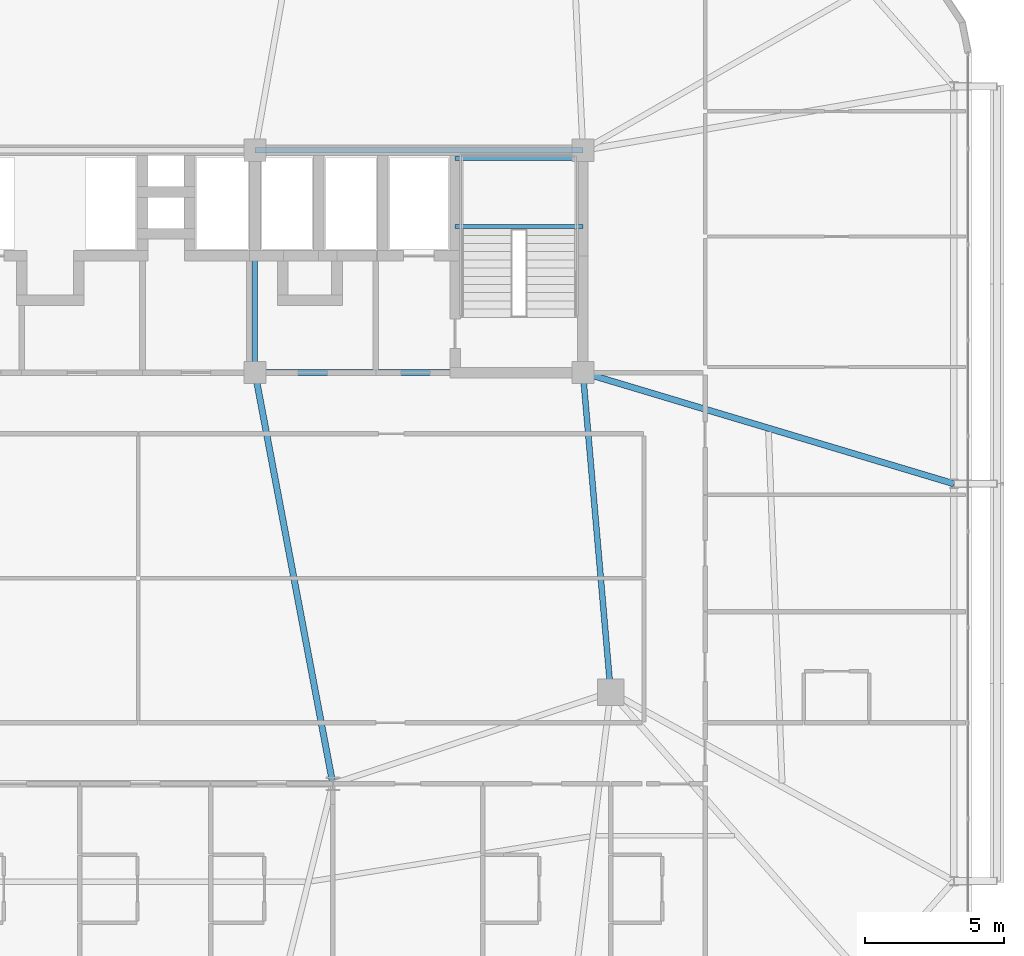
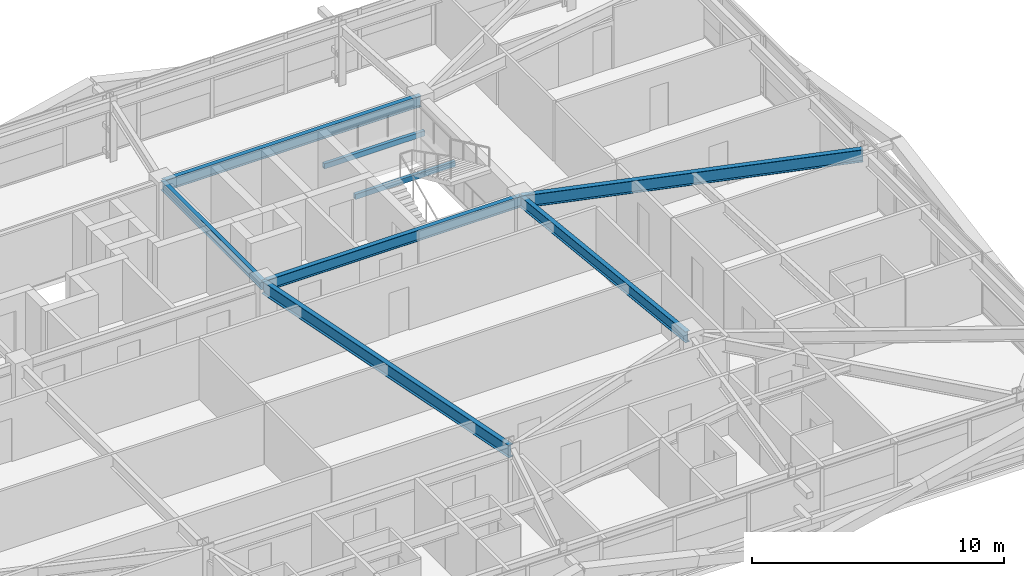
# One storey, part 29 of 59: 8 beams.
"""IFC4 building model written with IfcOpenShell, lengths in metres."""

from ifc_helpers import new_model, si_unit, direction, frame, origin, origin_2d, place, context, subcontext, project, spatial, hollow_rectangle, i_section, extrude, source, transform, mapped, material, material_profile, profile_set, type_object, element, save


model = new_model("IFC4")

# Units and contexts
model_context = context("Model", 3, precision=1e-05, world=origin(), true_north=direction((0.0, 1.0)))
body_context = subcontext(model_context, "Body", "Model", "MODEL_VIEW")
ifc_project = project(units=[si_unit("LENGTHUNIT", "METRE"), si_unit("AREAUNIT", "SQUARE_METRE"), si_unit("VOLUMEUNIT", "CUBIC_METRE"), si_unit("PLANEANGLEUNIT", "RADIAN"), si_unit("MASSUNIT", "GRAM", prefix="KILO")], contexts=[model_context])

# Site, building, storey
site_placement = place(None, origin())
site = spatial("IfcSite", under=ifc_project, at=site_placement, CompositionType="ELEMENT")
building_placement = place(site_placement, origin())
building = spatial("IfcBuilding", under=site, at=building_placement, Name="Taldren Reach Tower", CompositionType="ELEMENT")
storey_placement = place(building_placement, frame((0.0, 0.0, 23.10009765625)))
storey = spatial("IfcBuildingStorey", under=building, at=storey_placement, Name="L06", CompositionType="ELEMENT", Elevation=23.10009765625)

# Beams
ifc_material_1 = material(Name="Steel Gr 350 (350PLUS)", Category="steel")
ifc_material_profile_1 = material_profile(ifc_material_1, i_section(OverallWidth=0.208984375, OverallDepth=0.532958984375, WebThickness=0.01025390625, FlangeThickness=0.015625, at=origin_2d()), Name="530UB92.4")
ifc_profile_set_1 = profile_set([ifc_material_profile_1], Name="Steel Gr 350 (350PLUS)")
beam_type_1 = type_object("IfcBeamType", Name="BM-UB530A", PredefinedType="BEAM", material=ifc_profile_set_1)
shared_shape_1 = source(origin(), body_context, "Body", "SweptSolid", [
    extrude(i_section(OverallWidth=0.208984375, OverallDepth=0.532958984375, WebThickness=0.01025390625, FlangeThickness=0.015625, at=origin_2d()), origin(), (0.0, 0.0, 1.0), 11.800048828125),
])
for number, where, z_axis, x_axis, name in (
    (1, (39.199951171875, 24.0, 2.663330078125), (1.0, 0.0, 0.0), (0.0, 1.0, 0.0), "Core-spine girder L06-SP03"),
    (2, (39.199951171875, 32.0, 2.663330078125), (1.0, 0.0, 0.0), (0.0, 1.0, 0.0), "Core-spine girder L06-SP06"),
):
    element("IfcBeam", number, at=place(storey_placement, frame(where, z_axis=z_axis, x_axis=x_axis)), inside=storey, type_object=beam_type_1, Name=name, PredefinedType="BEAM", context=body_context, shape_type="MappedRepresentation", body=[
        mapped(shared_shape_1, transform((0.0, 0.0, 0.0), scale=1.0)),
    ])
ifc_material_profile_2 = material_profile(ifc_material_1, i_section(OverallWidth=0.19091796875, OverallDepth=0.4599609375, WebThickness=0.010009765625, FlangeThickness=0.01611328125, at=origin_2d()), Name="460UB82.1")
ifc_profile_set_2 = profile_set([ifc_material_profile_2], Name="Steel Gr 350 (350PLUS)")
beam_type_2 = type_object("IfcBeamType", Name="BM-UB460A", PredefinedType="BEAM", material=ifc_profile_set_2)
shared_shape_2 = source(origin(), body_context, "Body", "SweptSolid", [
    extrude(i_section(OverallWidth=0.19091796875, OverallDepth=0.4599609375, WebThickness=0.010009765625, FlangeThickness=0.01611328125, at=origin_2d()), origin(), (0.0, 0.0, 1.0), 8.0),
])
beam_1_placement = place(storey_placement, frame((39.199951171875, 24.0, 2.699951171875), z_axis=(0.0, 1.0, 0.0), x_axis=(-1.0, 0.0, 0.0)))
element("IfcBeam", 3, at=beam_1_placement, inside=storey, type_object=beam_type_2, Name="Core-spine girder L06-SP08", PredefinedType="BEAM", context=body_context, shape_type="MappedRepresentation", body=[
    mapped(shared_shape_2, transform((0.0, 0.0, 0.0), scale=1.0)),
])
shared_shape_3 = source(origin(), body_context, "Body", "SweptSolid", [
    extrude(i_section(OverallWidth=0.208984375, OverallDepth=0.532958984375, WebThickness=0.01025390625, FlangeThickness=0.015625, at=origin_2d()), origin(), (0.0, 0.0, 1.0), 11.54345703125),
])
beam_2_placement = place(storey_placement, frame((52.0, 12.5, 2.663330078125), z_axis=(-0.086629616365, 0.996240588196, 0.0), x_axis=(-0.996240588196, -0.086629616365, 0.0)))
element("IfcBeam", 4, at=beam_2_placement, inside=storey, type_object=beam_type_1, Name="Core-spine girder L06-SP13", PredefinedType="BEAM", context=body_context, shape_type="MappedRepresentation", body=[
    mapped(shared_shape_3, transform((0.0, 0.0, 0.0), scale=1.0)),
])
ifc_material_profile_3 = material_profile(ifc_material_1, i_section(OverallWidth=0.22802734375, OverallDepth=0.60205078125, WebThickness=0.010498046875, FlangeThickness=0.014892578125, at=origin_2d()), Name="610UB101")
ifc_profile_set_3 = profile_set([ifc_material_profile_3], Name="Steel Gr 350 (350PLUS)")
beam_type_3 = type_object("IfcBeamType", Name="BM-UB610B", PredefinedType="BEAM", material=ifc_profile_set_3)
shared_shape_4 = source(origin(), body_context, "Body", "SweptSolid", [
    extrude(i_section(OverallWidth=0.22802734375, OverallDepth=0.60205078125, WebThickness=0.010498046875, FlangeThickness=0.014892578125, at=origin_2d()), origin(), (0.0, 0.0, 1.0), 15.0625),
])
beam_3_placement = place(storey_placement, frame((39.199951171875, 24.0, 2.62890625), z_axis=(0.185894205668, -0.982569765614, 0.0), x_axis=(0.982569765614, 0.185894205668, 0.0)))
element("IfcBeam", 5, at=beam_3_placement, inside=storey, type_object=beam_type_3, Name="Core-spine girder L06-SP15", PredefinedType="BEAM", context=body_context, shape_type="MappedRepresentation", body=[
    mapped(shared_shape_4, transform((0.0, 0.0, 0.0), scale=1.0)),
])
shared_shape_5 = source(origin(), body_context, "Body", "SweptSolid", [
    extrude(i_section(OverallWidth=0.22802734375, OverallDepth=0.60205078125, WebThickness=0.010498046875, FlangeThickness=0.014892578125, at=origin_2d()), origin(), (0.0, 0.0, 1.0), 13.9365234375),
])
beam_4_placement = place(storey_placement, frame((51.0, 24.0, 2.62890625), z_axis=(0.957925550891, -0.287016792104, 0.0), x_axis=(0.287016792104, 0.957925550891, 0.0)))
element("IfcBeam", 6, at=beam_4_placement, inside=storey, type_object=beam_type_3, Name="Primary floor girder B1-E2 L06", PredefinedType="BEAM", context=body_context, shape_type="MappedRepresentation", body=[
    mapped(shared_shape_5, transform((0.0, 0.0, 0.0), scale=1.0)),
])
ifc_material_2 = material(Name="Steel Gr 350 (C350L0)", Category="steel")
ifc_material_profile_4 = material_profile(ifc_material_2, hollow_rectangle(XDim=0.14990234375, YDim=0.25, WallThickness=0.009033203125, at=origin_2d()), Name="250x150x9.0RHS")
ifc_profile_set_4 = profile_set([ifc_material_profile_4], Name="Steel Gr 350 (C350L0)")
beam_type_4 = type_object("IfcBeamType", Name="LN-RHS250", PredefinedType="LINTEL", material=ifc_profile_set_4)
shared_shape_6 = source(origin(), body_context, "Body", "SweptSolid", [
    extrude(hollow_rectangle(XDim=0.14990234375, YDim=0.25, WallThickness=0.009033203125, at=origin_2d()), origin(), (0.0, 0.0, 1.0), 4.60009765625),
])
for number, where, z_axis, x_axis, name in (
    (7, (46.39990234375, 29.2548828125, 1.27001953125), (1.0, 0.0, 0.0), (0.0, 1.0, 0.0), "Stair half-landing support beam ST2-L06-1"),
    (8, (46.39990234375, 31.699951171875, 1.27001953125), (1.0, 0.0, 0.0), (0.0, 1.0, 0.0), "Stair half-landing support beam ST2-L06-2"),
):
    element("IfcBeam", number, at=place(storey_placement, frame(where, z_axis=z_axis, x_axis=x_axis)), inside=storey, type_object=beam_type_4, Name=name, PredefinedType="LINTEL", context=body_context, shape_type="MappedRepresentation", body=[
        mapped(shared_shape_6, transform((0.0, 0.0, 0.0), scale=1.0)),
    ])

save(model, "model.ifc")
